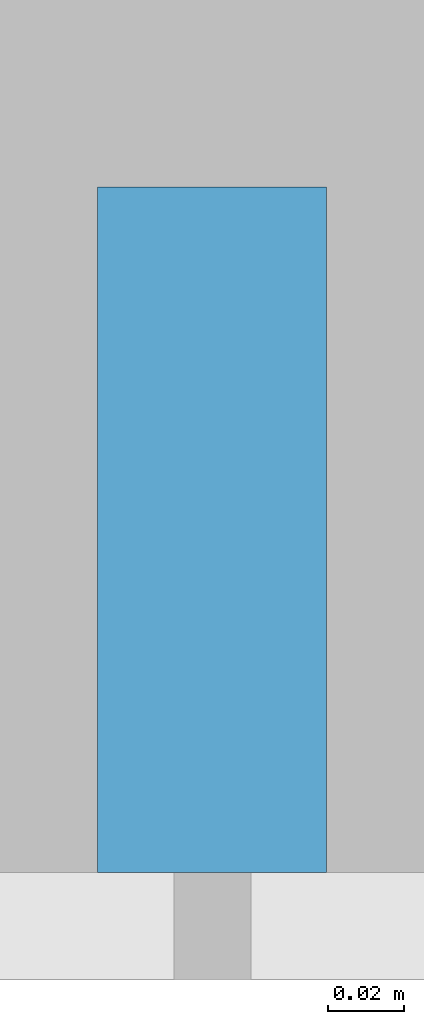
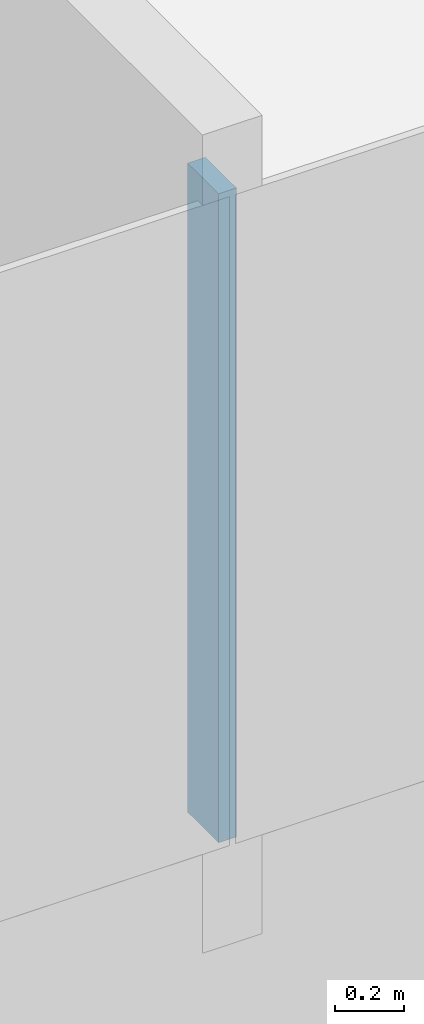
# One storey, part 5 of 26: 1 member, 1 element without a shape of its own.
"""IFC4 building model written with IfcOpenShell, lengths in metres."""

from ifc_helpers import new_model, si_unit, direction, frame, origin, origin_2d, place, context, subcontext, project, spatial, rectangle, extrude, material, layer, layer_set, material_profile, profile_set, type_object, element, aggregate, save


model = new_model("IFC4")

# Units and contexts
model_context = context("Model", 3, precision=1e-05, world=origin(), true_north=direction((0.0, 1.0)))
body_context = subcontext(model_context, "Body", "Model", "MODEL_VIEW")
ifc_project = project(units=[si_unit("LENGTHUNIT", "METRE"), si_unit("AREAUNIT", "SQUARE_METRE"), si_unit("VOLUMEUNIT", "CUBIC_METRE"), si_unit("PLANEANGLEUNIT", "RADIAN"), si_unit("MASSUNIT", "GRAM", prefix="KILO")], contexts=[model_context])

# Site, building, storey
site_placement = place(None, origin())
site = spatial("IfcSite", under=ifc_project, at=site_placement, CompositionType="ELEMENT")
building_placement = place(site_placement, origin())
building = spatial("IfcBuilding", under=site, at=building_placement, Name="Hakoniwa Tower and Hamabe Station Hall", CompositionType="ELEMENT")
storey_placement = place(building_placement, frame((0.0, 0.0, 172.60009765625)))
storey = spatial("IfcBuildingStorey", under=building, at=storey_placement, Name="L49", CompositionType="ELEMENT", Elevation=172.60009765625)

# Curtain wall, member
ifc_material_1 = material(Name="Dark low-e laminated glass", Category="glass")
ifc_layer = layer(ifc_material_1, 0.199951171875)
ifc_layer_set = layer_set([ifc_layer], Name="CW-1 UNITISED GUEST")
curtain_wall_type = type_object("IfcCurtainWallType", Name="CW-1 UNITISED GUEST", PredefinedType="NOTDEFINED", material=ifc_layer_set)
curtain_wall_placement = place(storey_placement, origin())
curtain_wall = element("IfcCurtainWall", 1, at=curtain_wall_placement, inside=storey, type_object=curtain_wall_type, Name="CW-1 curtain wall", PredefinedType="NOTDEFINED")
ifc_material_2 = material(Name="Aluminium 6063-T5 black anodised", Category="aluminium")
ifc_material_profile = material_profile(ifc_material_2, rectangle(XDim=0.06005859375, YDim=0.179931640625, at=origin_2d()), Name="CW-1 MULLION 60X180")
ifc_profile_set = profile_set([ifc_material_profile], Name="Aluminium 6063-T5 black anodised")
member_type = type_object("IfcMemberType", Name="CW-1 MULLION 60X180", PredefinedType="MULLION", material=ifc_profile_set)
member_placement = place(storey_placement, frame((8.39990234375, -19.181884765625, 0.349853515625), z_axis=(0.0, 0.0, 1.0), x_axis=(1.0, 0.0, 0.0)))
member = element("IfcMember", 2, at=member_placement, type_object=member_type, Name="CW-1 mullion", PredefinedType="MULLION", context=body_context, shape_type="SweptSolid", body=[
    extrude(rectangle(XDim=0.06005859375, YDim=0.179931640625, at=origin_2d()), origin(), (0.0, 0.0, 1.0), 2.300048828125),
])
aggregate(curtain_wall, [member])

save(model, "model.ifc")
